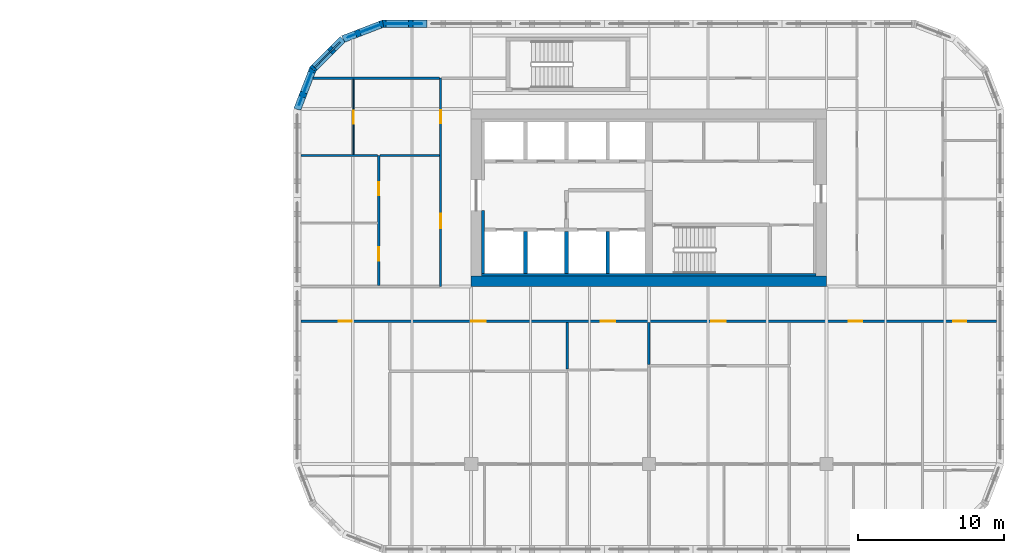
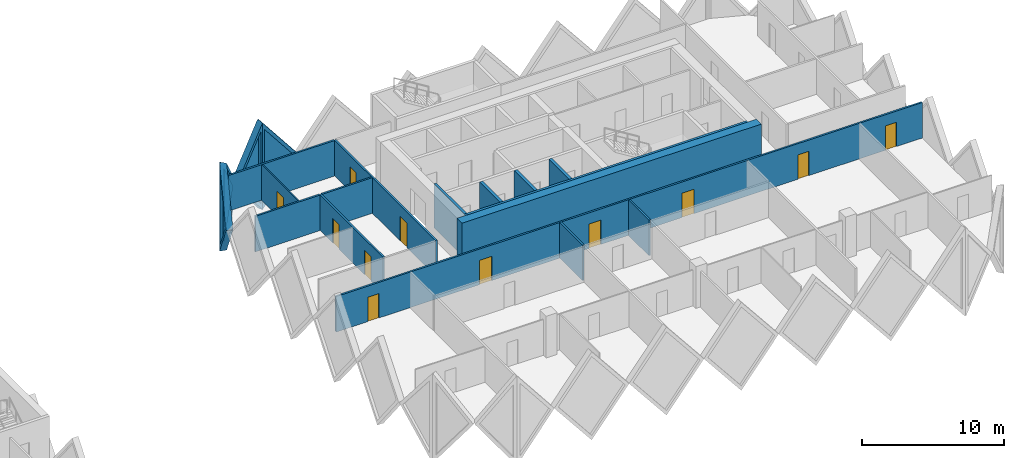
# One storey, part 13 of 19: 19 walls, 11 doors, 4 plates, 15 openings.
"""IFC4 building model written with IfcOpenShell, lengths in metres."""

import ifcopenshell
import ifcopenshell.guid

model = None  # the IFC model being written
_history = None  # IfcOwnerHistory: only IFC2X3 demands one
_inside = {}  # id of a spatial element -> (the spatial element, [elements in it])
_under = {}  # id of a project, library or spatial element -> (it, [spatial elements below it])
_declared = {}  # id of a project -> (the project, [libraries it declares])
_typed = {}  # id of a type object -> (the type object, [elements of that type])
_made_of = {}  # id of a material, layer set ... -> (it, [elements and type objects made of it])


def new_model(schema):
    """Start an empty IFC model of exactly this schema.

    Asked for "IFC4X3", IfcOpenShell would pick the latest addendum, in which some entities
    have other attributes; the version numbers below select the first issue.
    IFC2X3 requires an IfcOwnerHistory on every rooted entity: one is made here for all.
    """
    global model, _history
    if schema == "IFC4X3":
        model = ifcopenshell.file(schema_version=(4, 3, 0, 0))
    else:
        model = ifcopenshell.file(schema=schema)
    _inside.clear()
    _under.clear()
    _declared.clear()
    _typed.clear()
    _made_of.clear()
    _history = None
    if model.schema == "IFC2X3":
        org = make("IfcOrganization", Name="unknown")
        user = make(
            "IfcPersonAndOrganization",
            ThePerson=make("IfcPerson", FamilyName="unknown"),
            TheOrganization=org,
        )
        app = make(
            "IfcApplication",
            ApplicationDeveloper=org,
            Version="unknown",
            ApplicationFullName="unknown",
            ApplicationIdentifier="unknown",
        )
        _history = make(
            "IfcOwnerHistory",
            OwningUser=user,
            OwningApplication=app,
            ChangeAction="ADDED",
            CreationDate=0,
        )
    return model


def make(cls, **values):
    """One entity of the class cls with the attributes given. An attribute that is None is left unset."""
    return model.create_entity(
        cls, **{name: value for name, value in values.items() if value is not None}
    )


def rooted(cls, **values):
    """An entity with a GlobalId (a new one), such as an element, a storey or a relation."""
    return make(cls, GlobalId=ifcopenshell.guid.new(), OwnerHistory=_history, **values)


def si_unit(unit_type, name, prefix=None):
    """IfcSIUnit, for example si_unit("LENGTHUNIT", "METRE", prefix="MILLI")."""
    return make("IfcSIUnit", UnitType=unit_type, Prefix=prefix, Name=name)


def assignment(units):
    """IfcUnitAssignment: the units of a project."""
    return None if units is None else make("IfcUnitAssignment", Units=units)


def point(xyz):
    """IfcCartesianPoint."""
    return None if xyz is None else make("IfcCartesianPoint", Coordinates=xyz)


def direction(xyz):
    """IfcDirection."""
    return None if xyz is None else make("IfcDirection", DirectionRatios=xyz)


def frame(location, z_axis=None, x_axis=None):
    """IfcAxis2Placement3D, a coordinate frame: its origin and axes. An axis left out is left unset."""
    return make(
        "IfcAxis2Placement3D",
        Location=point(location),
        Axis=direction(z_axis),
        RefDirection=direction(x_axis),
    )


def frame_2d(location, x_axis=None):
    """IfcAxis2Placement2D, a coordinate frame in the plane: its origin and x axis."""
    return make(
        "IfcAxis2Placement2D", Location=point(location), RefDirection=direction(x_axis)
    )


def origin():
    """The frame at (0, 0, 0) with its axes left unset."""
    return frame((0.0, 0.0, 0.0))


def place(relative_to, where):
    """IfcLocalPlacement: puts the frame where relative to a parent placement (None: the world)."""
    return make(
        "IfcLocalPlacement", PlacementRelTo=relative_to, RelativePlacement=where
    )


def context(
    kind, dimensions, precision=None, world=None, true_north=None, identifier=None
):
    """IfcGeometricRepresentationContext, for example the 3D "Model" context."""
    return make(
        "IfcGeometricRepresentationContext",
        ContextIdentifier=identifier,
        ContextType=kind,
        CoordinateSpaceDimension=dimensions,
        Precision=precision,
        WorldCoordinateSystem=world,
        TrueNorth=true_north,
    )


def subcontext(parent, identifier, kind, view, scale=None):
    """IfcGeometricRepresentationSubContext, for example "Body" below "Model"."""
    return make(
        "IfcGeometricRepresentationSubContext",
        ContextIdentifier=identifier,
        ContextType=kind,
        ParentContext=parent,
        TargetScale=scale,
        TargetView=view,
    )


def project(units=None, contexts=None):
    """IfcProject with its units and contexts."""
    return rooted(
        "IfcProject",
        Name="project",
        RepresentationContexts=contexts,
        UnitsInContext=assignment(units),
    )


def spatial(cls, under=None, at=None, **own):
    """A site, building, storey or space (cls), placed at a placement, below another one or the project."""
    s = rooted(cls, ObjectPlacement=at, **own)
    if under is not None:
        _under.setdefault(under.id(), (under, []))[1].append(s)
    return s


def polyline(points):
    """IfcPolyline through the points."""
    return make("IfcPolyline", Points=[point(p) for p in points])


def profile(cls, at=None, kind="AREA", **sizes):
    """A parametric profile (cls). Its sizes go by their IFC names, for example OverallWidth=200.0."""
    return make(cls, ProfileType=kind, Position=at, **sizes)


def rectangle(**sizes):
    """IfcRectangleProfileDef."""
    return profile("IfcRectangleProfileDef", **sizes)


def outline(outer, holes=None, kind="AREA"):
    """IfcArbitraryClosedProfileDef: a profile drawn as a closed curve; with holes, ...WithVoids."""
    if holes is None:
        return make("IfcArbitraryClosedProfileDef", ProfileType=kind, OuterCurve=outer)
    return make(
        "IfcArbitraryProfileDefWithVoids",
        ProfileType=kind,
        OuterCurve=outer,
        InnerCurves=holes,
    )


def extrude(swept, where, along, depth):
    """IfcExtrudedAreaSolid: the profile swept, set in the frame where, extruded along a direction by depth."""
    return make(
        "IfcExtrudedAreaSolid",
        SweptArea=swept,
        Position=where,
        ExtrudedDirection=direction(along),
        Depth=depth,
    )


def faces_of(points, faces, orient=None, outer=None):
    """IfcFace entities. A face is a list of loops; a loop is a list of indices into points, from 0.

    orient and outer hold one flag for each loop. By default every Orientation is true, the
    first loop of a face is its IfcFaceOuterBound and the others are IfcFaceBound.
    """
    made = []
    for i, loops in enumerate(faces):
        bounds = []
        for j, loop in enumerate(loops):
            is_outer = j == 0 if outer is None else outer[i][j]
            bounds.append(
                make(
                    "IfcFaceOuterBound" if is_outer else "IfcFaceBound",
                    Bound=make("IfcPolyLoop", Polygon=[points[k] for k in loop]),
                    Orientation=True if orient is None else orient[i][j],
                )
            )
        made.append(make("IfcFace", Bounds=bounds))
    return made


def faceted_brep(points, faces, orient=None, outer=None, voids=None):
    """IfcFacetedBrep: a solid bounded by flat faces; with voids (closed shells), ...WithVoids."""
    shared = [point(p) for p in points]
    hull = make("IfcClosedShell", CfsFaces=faces_of(shared, faces, orient, outer))
    if voids is None:
        return make("IfcFacetedBrep", Outer=hull)
    return make(
        "IfcFacetedBrepWithVoids",
        Outer=hull,
        Voids=[
            make(cls, CfsFaces=faces_of(shared, fs, o, b)) for cls, fs, o, b in voids
        ],
    )


def shape(context_of_items, identifier, shape_type, items):
    """IfcShapeRepresentation: the items that make up one representation, for example the "Body"."""
    return make(
        "IfcShapeRepresentation",
        ContextOfItems=context_of_items,
        RepresentationIdentifier=identifier,
        RepresentationType=shape_type,
        Items=items,
    )


def source(mapping_origin, context_of_items, identifier, shape_type, items):
    """IfcRepresentationMap: a shape defined once, which mapped items show again and again."""
    return make(
        "IfcRepresentationMap",
        MappingOrigin=mapping_origin,
        MappedRepresentation=shape(context_of_items, identifier, shape_type, items),
    )


def transform(
    local_origin,
    x_axis=None,
    y_axis=None,
    z_axis=None,
    scale=None,
    scale2=None,
    scale3=None,
    uniform=True,
):
    """IfcCartesianTransformationOperator3D, or its non-uniform kind. x_axis, y_axis, z_axis: its Axis1, 2, 3."""
    if uniform:
        return make(
            "IfcCartesianTransformationOperator3D",
            Axis1=direction(x_axis),
            Axis2=direction(y_axis),
            LocalOrigin=point(local_origin),
            Scale=scale,
            Axis3=direction(z_axis),
        )
    return make(
        "IfcCartesianTransformationOperator3DnonUniform",
        Axis1=direction(x_axis),
        Axis2=direction(y_axis),
        LocalOrigin=point(local_origin),
        Scale=scale,
        Axis3=direction(z_axis),
        Scale2=scale2,
        Scale3=scale3,
    )


def mapped(mapping_source, mapping_target):
    """IfcMappedItem: shows the shape of a source again, moved by a transform."""
    return make(
        "IfcMappedItem", MappingSource=mapping_source, MappingTarget=mapping_target
    )


def material(Name=None, Category=None):
    """IfcMaterial."""
    return make("IfcMaterial", Name=Name, Category=Category)


def layer(
    of_material, thickness, ventilated=None, Name=None, Category=None, Priority=None
):
    """IfcMaterialLayer: one layer of a wall or slab, of a material (None: an air gap)."""
    return make(
        "IfcMaterialLayer",
        Material=of_material,
        LayerThickness=thickness,
        IsVentilated=ventilated,
        Name=Name,
        Category=Category,
        Priority=Priority,
    )


def layer_set(layers, Name=None):
    """IfcMaterialLayerSet."""
    return make("IfcMaterialLayerSet", MaterialLayers=layers, LayerSetName=Name)


def made_of(thing, what):
    """Note that an element or type object is made of a material, layer set ...; save() writes the relation."""
    if what is not None:
        _made_of.setdefault(what.id(), (what, []))[1].append(thing)
    return thing


def type_object(cls, material=None, **own):
    """A type object (cls), such as IfcWallType, which elements share."""
    return made_of(rooted(cls, **own), material)


def element(
    cls,
    number,
    at=None,
    inside=None,
    cuts=None,
    type_object=None,
    material=None,
    context=None,
    identifier="Body",
    shape_type=None,
    held_by="IfcProductDefinitionShape",
    body=None,
    shapes=None,
    **own,
):
    """One element of the class cls, such as IfcWall. Its Tag is "e" and its number.

    at: its placement. inside: the storey or other place that contains it. cuts: it is an
    opening in that element (IfcRelVoidsElement). A single representation is given by context,
    identifier, shape_type and body (its items); several are given by shapes. held_by: the class
    of the entity that holds the representations. save() writes the other relations.
    """
    e = rooted(cls, Tag="e%d" % number, ObjectPlacement=at, **own)
    if body is not None:
        shapes = [shape(context, identifier, shape_type, body)]
    if shapes is not None:
        e.Representation = make(held_by, Representations=shapes)
    if inside is not None:
        _inside.setdefault(inside.id(), (inside, []))[1].append(e)
    if cuts is not None:
        rooted(
            "IfcRelVoidsElement", RelatingBuildingElement=cuts, RelatedOpeningElement=e
        )
    if type_object is not None:
        _typed.setdefault(type_object.id(), (type_object, []))[1].append(e)
    return made_of(e, material)


def fill(opening, filler):
    """IfcRelFillsElement: the door or window that sits in an opening."""
    return rooted(
        "IfcRelFillsElement",
        RelatingOpeningElement=opening,
        RelatedBuildingElement=filler,
    )


def aggregate(whole, parts):
    """IfcRelAggregates: a whole, such as a stair, and the parts it consists of."""
    return rooted("IfcRelAggregates", RelatingObject=whole, RelatedObjects=parts)


def save(model, path):
    """Write the relations noted so far, then the file.

    IfcRelAggregates (storeys below a building ...), IfcRelContainedInSpatialStructure (elements
    in a storey), IfcRelDefinesByType, IfcRelAssociatesMaterial and IfcRelDeclares: one each for
    every whole, place, type object, material and project.
    """
    for whole, parts in _under.values():
        aggregate(whole, parts)
    for where, things in _inside.values():
        rooted(
            "IfcRelContainedInSpatialStructure",
            RelatedElements=things,
            RelatingStructure=where,
        )
    for kind, things in _typed.values():
        rooted("IfcRelDefinesByType", RelatedObjects=things, RelatingType=kind)
    for what, things in _made_of.values():
        rooted("IfcRelAssociatesMaterial", RelatedObjects=things, RelatingMaterial=what)
    for by, libraries in _declared.values():
        rooted("IfcRelDeclares", RelatingContext=by, RelatedDefinitions=libraries)
    model.write(path)


model = new_model("IFC4")

# Units and contexts
model_context = context("Model", 3, precision=1e-05, world=origin(), true_north=direction((0.0, 1.0)))
body_context = subcontext(model_context, "Body", "Model", "MODEL_VIEW")
ifc_project = project(units=[si_unit("LENGTHUNIT", "METRE"), si_unit("AREAUNIT", "SQUARE_METRE"), si_unit("VOLUMEUNIT", "CUBIC_METRE"), si_unit("PLANEANGLEUNIT", "RADIAN"), si_unit("MASSUNIT", "GRAM", prefix="KILO")], contexts=[model_context])

# Site, building, storey
site_placement = place(None, origin())
site = spatial("IfcSite", under=ifc_project, at=site_placement, CompositionType="ELEMENT")
building_placement = place(site_placement, origin())
building = spatial("IfcBuilding", under=site, at=building_placement, Name="Tessera Gate Towers", CompositionType="ELEMENT")
storey_placement = place(building_placement, frame((0.0, 0.0, 33.39990234375)))
storey = spatial("IfcBuildingStorey", under=building, at=storey_placement, Name="L07", CompositionType="ELEMENT", Elevation=33.39990234375)

# Walls
ifc_material_1 = material(Name="Concrete C40/50", Category="concrete")
ifc_layer_1 = layer(ifc_material_1, 0.25)
ifc_layer_set_1 = layer_set([ifc_layer_1], Name="CORE ENCLOSURE WALL 250")
wall_type_1 = type_object("IfcWallType", Name="CORE ENCLOSURE WALL 250", PredefinedType="SOLIDWALL", material=ifc_layer_set_1)
for number, where, z_axis, x_axis, name in (
    (1, (104.14990234375, 37.5, 0.0), (0.0, 0.0, 1.0), (0.0, 1.0, 0.0), "L07 shaft and stair enclosure wall"),
    (2, (101.324951171875, 37.5, 0.0), (0.0, 0.0, 1.0), (0.0, 1.0, 0.0), "L07 shaft and stair enclosure wall"),
    (3, (106.97509765625, 37.5, 0.0), (0.0, 0.0, 1.0), (0.0, 1.0, 0.0), "L07 shaft and stair enclosure wall"),
):
    element("IfcWall", number, at=place(storey_placement, frame(where, z_axis=z_axis, x_axis=x_axis)), inside=storey, type_object=wall_type_1, Name=name, PredefinedType="SOLIDWALL", context=body_context, shape_type="SweptSolid", body=[
        extrude(rectangle(XDim=2.875, YDim=0.25, at=frame_2d((1.4375, 0.0))), origin(), (0.0, 0.0, 1.0), 3.800048828125),
    ])
ifc_material_2 = material(Name="Concrete C60/75", Category="concrete")
ifc_layer_2 = layer(ifc_material_2, 0.699951171875)
ifc_layer_set_2 = layer_set([ifc_layer_2], Name="CORE SHEAR WALL 700 C60/75")
wall_type_2 = type_object("IfcWallType", Name="CORE SHEAR WALL 700 C60/75", PredefinedType="SHEAR", material=ifc_layer_set_2)
wall_1_placement = place(storey_placement, frame((122.0, 36.949951171875, 0.0), z_axis=(0.0, 0.0, 1.0), x_axis=(-1.0, 0.0, 0.0)))
element("IfcWall", 4, at=wall_1_placement, inside=storey, type_object=wall_type_2, Name="Core wall S L07", PredefinedType="SHEAR", context=body_context, shape_type="SweptSolid", body=[
    extrude(rectangle(XDim=24.39990234375, YDim=0.699951171875, at=frame_2d((12.199951171875, 0.0))), origin(), (0.0, 0.0, 1.0), 3.800048828125),
])
ifc_material_3 = material(Name="Concrete C60/75", Category="concrete")
ifc_layer_3 = layer(ifc_material_3, 0.199951171875)
ifc_layer_set_3 = layer_set([ifc_layer_3], Name="CORE WALL THICKENING 200")
wall_type_3 = type_object("IfcWallType", Name="CORE WALL THICKENING 200", PredefinedType="SOLIDWALL", material=ifc_layer_set_3)
wall_2_placement = place(storey_placement, frame((98.300048828125, 37.39990234375, 0.0), z_axis=(0.0, 0.0, 1.0), x_axis=(1.0, 0.0, 0.0)))
element("IfcWall", 5, at=wall_2_placement, inside=storey, type_object=wall_type_3, Name="Core wall thickening S L07", PredefinedType="SOLIDWALL", context=body_context, shape_type="SweptSolid", body=[
    extrude(rectangle(XDim=23.0, YDim=0.199951171875, at=frame_2d((11.5, 0.0))), origin(), (0.0, 0.0, 1.0), 3.800048828125),
])
wall_3_placement = place(storey_placement, frame((98.39990234375, 37.5, 0.0), z_axis=(0.0, 0.0, 1.0), x_axis=(0.0, 1.0, 0.0)))
element("IfcWall", 6, at=wall_3_placement, inside=storey, type_object=wall_type_3, Name="Core wall thickening W L07", PredefinedType="SOLIDWALL", context=body_context, shape_type="SweptSolid", body=[
    extrude(rectangle(XDim=4.300048828125, YDim=0.199951171875, at=frame_2d((2.14990234375, 0.0))), origin(), (0.0, 0.0, 1.0), 3.800048828125),
])

# Wall, openings, doors
ifc_material_4 = material(Name="Gypsum board on steel studs, mineral wool", Category="steel")
ifc_layer_4 = layer(ifc_material_4, 0.14990234375)
ifc_layer_set_4 = layer_set([ifc_layer_4], Name="CORRIDOR WALL 150")
wall_type_4 = type_object("IfcWallType", Name="CORRIDOR WALL 150", PredefinedType="PARTITIONING", material=ifc_layer_set_4)
wall_4_placement = place(storey_placement, frame((133.699951171875, 34.199951171875, 0.0), z_axis=(0.0, 0.0, 1.0), x_axis=(-1.0, 0.0, 0.0)))
wall_4 = element("IfcWall", 7, at=wall_4_placement, inside=storey, type_object=wall_type_4, Name="T2-L07-PW-027", PredefinedType="PARTITIONING", context=body_context, shape_type="SweptSolid", body=[
    extrude(rectangle(XDim=47.800048828125, YDim=0.14990234375, at=frame_2d((23.89990234375, 0.0))), origin(), (0.0, 0.0, 1.0), 3.067138671875),
])
shared_shape_1 = source(origin(), body_context, "Body", "SweptSolid", [
    extrude(rectangle(XDim=0.89990234375, YDim=2.10009765625, at=frame_2d((0.449951171875, 1.050048828125))), frame((0.0, 0.0849609375, 0.0), z_axis=(0.0, -1.0, 0.0), x_axis=(1.0, 0.0, 0.0)), (0.0, 0.0, 1.0), 0.169921875),
])
opening_1_placement = place(wall_4_placement, frame((2.09912109375, 0.0, 0.0)))
opening_1 = element("IfcOpeningElement", 8, at=opening_1_placement, cuts=wall_4, Name="Opening D890FD60-B03-01", PredefinedType="OPENING", context=body_context, shape_type="MappedRepresentation", body=[
    mapped(shared_shape_1, transform((0.0, 0.0, 0.0), scale=1.0)),
])
shared_shape_2 = source(origin(), body_context, "Body", "SweptSolid", [
    extrude(rectangle(XDim=1.0, YDim=2.10009765625, at=frame_2d((0.5, 1.050048828125))), frame((0.0, 0.0849609375, 0.0), z_axis=(0.0, -1.0, 0.0), x_axis=(1.0, 0.0, 0.0)), (0.0, 0.0, 1.0), 0.169921875),
])
opening_2_placement = place(wall_4_placement, frame((26.198974609375, 0.0, 0.0)))
opening_2 = element("IfcOpeningElement", 9, at=opening_2_placement, cuts=wall_4, Name="Opening D2100FD60-B03-01", PredefinedType="OPENING", context=body_context, shape_type="MappedRepresentation", body=[
    mapped(shared_shape_2, transform((0.0, 0.0, 0.0), scale=1.0)),
])
opening_3_placement = place(wall_4_placement, frame((44.300048828125, 0.0, 0.0)))
opening_3 = element("IfcOpeningElement", 10, at=opening_3_placement, cuts=wall_4, Name="Opening D890FD60-B03-03", PredefinedType="OPENING", context=body_context, shape_type="MappedRepresentation", body=[
    mapped(shared_shape_1, transform((0.0, 0.0, 0.0), scale=1.0)),
])
opening_4_placement = place(wall_4_placement, frame((9.2490234375, 0.0, 0.0)))
opening_4 = element("IfcOpeningElement", 11, at=opening_4_placement, cuts=wall_4, Name="Opening D890FD60-B03-04", PredefinedType="OPENING", context=body_context, shape_type="MappedRepresentation", body=[
    mapped(shared_shape_1, transform((0.0, 0.0, 0.0), scale=1.0)),
])
opening_5_placement = place(wall_4_placement, frame((18.60009765625, 0.0, 0.0)))
opening_5 = element("IfcOpeningElement", 12, at=opening_5_placement, cuts=wall_4, Name="Opening D2100FD60-B03-03", PredefinedType="OPENING", context=body_context, shape_type="MappedRepresentation", body=[
    mapped(shared_shape_2, transform((0.0, 0.0, 0.0), scale=1.0)),
])
opening_6_placement = place(wall_4_placement, frame((35.10009765625, 0.0, 0.0)))
opening_6 = element("IfcOpeningElement", 13, at=opening_6_placement, cuts=wall_4, Name="Opening D2100FD60-B03-05", PredefinedType="OPENING", context=body_context, shape_type="MappedRepresentation", body=[
    mapped(shared_shape_2, transform((0.0, 0.0, 0.0), scale=1.0)),
])
ifc_material_5 = material(Name="Timber door leaf in steel frame", Category="steel")
door_type_1 = type_object("IfcDoorType", Name="CORRIDOR DOOR 900 FD60", OperationType="NOTDEFINED", PredefinedType="DOOR", material=ifc_material_5)
shared_shape_3 = source(origin(), body_context, "Body", "SweptSolid", [
    extrude(rectangle(XDim=0.89990234375, YDim=2.10009765625, at=frame_2d((0.449951171875, 1.050048828125))), frame((0.0, 0.02490234375, 0.0), z_axis=(0.0, -1.0, 0.0), x_axis=(1.0, 0.0, 0.0)), (0.0, 0.0, 1.0), 0.050048828125),
])
door_1_placement = place(opening_1_placement, origin())
door_1 = element("IfcDoor", 14, at=door_1_placement, inside=storey, type_object=door_type_1, Name="T2-L07-PD-010", OperationType="SINGLE_SWING_RIGHT", OverallHeight=2.10009765625, OverallWidth=0.89990234375, PredefinedType="DOOR", context=body_context, shape_type="MappedRepresentation", body=[
    mapped(shared_shape_3, transform((0.0, 0.0, 0.0), scale=1.0)),
])
fill(opening_1, door_1)
door_2_placement = place(opening_3_placement, origin())
door_2 = element("IfcDoor", 15, at=door_2_placement, inside=storey, type_object=door_type_1, Name="T2-L07-PD-019", OperationType="SINGLE_SWING_RIGHT", OverallHeight=2.10009765625, OverallWidth=0.89990234375, PredefinedType="DOOR", context=body_context, shape_type="MappedRepresentation", body=[
    mapped(shared_shape_3, transform((0.0, 0.0, 0.0), scale=1.0)),
])
fill(opening_3, door_2)
door_3_placement = place(opening_4_placement, origin())
door_3 = element("IfcDoor", 16, at=door_3_placement, inside=storey, type_object=door_type_1, Name="T2-L07-PD-022", OperationType="SINGLE_SWING_RIGHT", OverallHeight=2.10009765625, OverallWidth=0.89990234375, PredefinedType="DOOR", context=body_context, shape_type="MappedRepresentation", body=[
    mapped(shared_shape_3, transform((0.0, 0.0, 0.0), scale=1.0)),
])
fill(opening_4, door_3)
ifc_material_6 = material(Name="Timber door leaf in steel frame", Category="steel")
door_type_2 = type_object("IfcDoorType", Name="TENANCY ENTRANCE DOOR 1000 FD60", OperationType="NOTDEFINED", PredefinedType="DOOR", material=ifc_material_6)
shared_shape_4 = source(origin(), body_context, "Body", "SweptSolid", [
    extrude(rectangle(XDim=1.0, YDim=2.10009765625, at=frame_2d((0.5, 1.050048828125))), frame((0.0, 0.02490234375, 0.0), z_axis=(0.0, -1.0, 0.0), x_axis=(1.0, 0.0, 0.0)), (0.0, 0.0, 1.0), 0.050048828125),
])
door_4_placement = place(opening_2_placement, origin())
door_4 = element("IfcDoor", 17, at=door_4_placement, inside=storey, type_object=door_type_2, Name="T2-L07-PD-016", OperationType="SINGLE_SWING_RIGHT", OverallHeight=2.10009765625, OverallWidth=1.0, PredefinedType="DOOR", context=body_context, shape_type="MappedRepresentation", body=[
    mapped(shared_shape_4, transform((0.0, 0.0, 0.0), scale=1.0)),
])
fill(opening_2, door_4)
door_5_placement = place(opening_5_placement, origin())
door_5 = element("IfcDoor", 18, at=door_5_placement, inside=storey, type_object=door_type_2, Name="T2-L07-PD-023", OperationType="SINGLE_SWING_RIGHT", OverallHeight=2.10009765625, OverallWidth=1.0, PredefinedType="DOOR", context=body_context, shape_type="MappedRepresentation", body=[
    mapped(shared_shape_4, transform((0.0, 0.0, 0.0), scale=1.0)),
])
fill(opening_5, door_5)
door_6_placement = place(opening_6_placement, origin())
door_6 = element("IfcDoor", 19, at=door_6_placement, inside=storey, type_object=door_type_2, Name="T2-L07-PD-026", OperationType="SINGLE_SWING_RIGHT", OverallHeight=2.10009765625, OverallWidth=1.0, PredefinedType="DOOR", context=body_context, shape_type="MappedRepresentation", body=[
    mapped(shared_shape_4, transform((0.0, 0.0, 0.0), scale=1.0)),
])
fill(opening_6, door_6)

wall_5_placement = place(storey_placement, frame((95.5, 36.60009765625, 0.0), z_axis=(0.0, 0.0, 1.0), x_axis=(0.0, 1.0, 0.0)))
wall_5 = element("IfcWall", 20, at=wall_5_placement, inside=storey, type_object=wall_type_4, Name="T2-L07-PW-029", PredefinedType="PARTITIONING", context=body_context, shape_type="SweptSolid", body=[
    extrude(rectangle(XDim=14.2998046875, YDim=0.14990234375, at=frame_2d((7.14990234375, 0.0))), origin(), (0.0, 0.0, 1.0), 3.067138671875),
])
opening_7_placement = place(wall_5_placement, frame((11.200927734375, 0.0, 0.0)))
opening_7 = element("IfcOpeningElement", 21, at=opening_7_placement, cuts=wall_5, Name="Opening D890FD60-B03-02", PredefinedType="OPENING", context=body_context, shape_type="MappedRepresentation", body=[
    mapped(shared_shape_1, transform((0.0, 0.0, 0.0), scale=1.0)),
])
opening_8_placement = place(wall_5_placement, frame((4.0, 0.0, 0.0)))
opening_8 = element("IfcOpeningElement", 22, at=opening_8_placement, cuts=wall_5, Name="Opening D2100FD60-B03-06", PredefinedType="OPENING", context=body_context, shape_type="MappedRepresentation", body=[
    mapped(shared_shape_2, transform((0.0, 0.0, 0.0), scale=1.0)),
])
door_7_placement = place(opening_7_placement, origin())
door_7 = element("IfcDoor", 23, at=door_7_placement, inside=storey, type_object=door_type_1, Name="T2-L07-PD-012", OperationType="SINGLE_SWING_LEFT", OverallHeight=2.10009765625, OverallWidth=0.89990234375, PredefinedType="DOOR", context=body_context, shape_type="MappedRepresentation", body=[
    mapped(shared_shape_3, transform((0.0, 0.0, 0.0), scale=1.0)),
])
fill(opening_7, door_7)
door_8_placement = place(opening_8_placement, origin())
door_8 = element("IfcDoor", 24, at=door_8_placement, inside=storey, type_object=door_type_2, Name="T2-L07-PD-028", OperationType="SINGLE_SWING_LEFT", OverallHeight=2.10009765625, OverallWidth=1.0, PredefinedType="DOOR", context=body_context, shape_type="MappedRepresentation", body=[
    mapped(shared_shape_4, transform((0.0, 0.0, 0.0), scale=1.0)),
])
fill(opening_8, door_8)

# Wall, opening, door
ifc_material_7 = material(Name="Gypsum board on steel studs", Category="steel")
ifc_layer_5 = layer(ifc_material_7, 0.10009765625)
ifc_layer_set_5 = layer_set([ifc_layer_5], Name="PARTITION 100")
wall_type_5 = type_object("IfcWallType", Name="PARTITION 100", PredefinedType="PARTITIONING", material=ifc_layer_set_5)
wall_6_placement = place(storey_placement, frame((89.514892578125, 45.676025390625, 0.0), z_axis=(0.0, 0.0, 1.0), x_axis=(0.0, 1.0, 0.0)))
wall_6 = element("IfcWall", 25, at=wall_6_placement, inside=storey, type_object=wall_type_5, Name="T2-L07-PW-039", PredefinedType="PARTITIONING", context=body_context, shape_type="SweptSolid", body=[
    extrude(rectangle(XDim=5.14794921875, YDim=0.10009765625, at=frame_2d((2.573974609375, 0.0))), origin(), (0.0, 0.0, 1.0), 3.067138671875),
])
shared_shape_5 = source(origin(), body_context, "Body", "SweptSolid", [
    extrude(rectangle(XDim=0.89990234375, YDim=2.10009765625, at=frame_2d((0.449951171875, 1.050048828125))), frame((0.0, 0.06005859375, 0.0), z_axis=(0.0, -1.0, 0.0), x_axis=(1.0, 0.0, 0.0)), (0.0, 0.0, 1.0), 0.1201171875),
])
opening_9_placement = place(wall_6_placement, frame((2.10009765625, 0.0, 0.0)))
opening_9 = element("IfcOpeningElement", 26, at=opening_9_placement, cuts=wall_6, Name="Opening D190-B03-09", PredefinedType="OPENING", context=body_context, shape_type="MappedRepresentation", body=[
    mapped(shared_shape_5, transform((0.0, 0.0, 0.0), scale=1.0)),
])
ifc_material_8 = material(Name="Timber door leaf in steel frame", Category="steel")
door_type_3 = type_object("IfcDoorType", Name="INTERNAL DOOR 900 NOT RATED", OperationType="NOTDEFINED", PredefinedType="DOOR", material=ifc_material_8)
door_9_placement = place(opening_9_placement, origin())
door_9 = element("IfcDoor", 27, at=door_9_placement, inside=storey, type_object=door_type_3, Name="T2-L07-PD-011", OperationType="SINGLE_SWING_LEFT", OverallHeight=2.10009765625, OverallWidth=0.89990234375, PredefinedType="DOOR", context=body_context, shape_type="MappedRepresentation", body=[
    mapped(shared_shape_3, transform((0.0, 0.0, 0.0), scale=1.0)),
])
fill(opening_9, door_9)

# Walls
ifc_material_9 = material(Name="Gypsum board on steel studs, mineral wool", Category="steel")
ifc_layer_6 = layer(ifc_material_9, 0.14990234375)
ifc_layer_set_6 = layer_set([ifc_layer_6], Name="TENANCY WALL 150")
wall_type_6 = type_object("IfcWallType", Name="TENANCY WALL 150", PredefinedType="PARTITIONING", material=ifc_layer_set_6)
wall_7_placement = place(storey_placement, frame((104.199951171875, 30.925048828125, 0.0), z_axis=(0.0, 0.0, 1.0), x_axis=(0.0, 1.0, 0.0)))
element("IfcWall", 28, at=wall_7_placement, inside=storey, type_object=wall_type_6, Name="T2-L07-PW-023", PredefinedType="PARTITIONING", context=body_context, shape_type="SweptSolid", body=[
    extrude(rectangle(XDim=3.198974609375, YDim=0.14990234375, at=frame_2d((1.599609375, 0.0))), origin(), (0.0, 0.0, 1.0), 3.067138671875),
])
wall_8_placement = place(storey_placement, frame((109.800048828125, 31.22607421875, 0.0), z_axis=(0.0, 0.0, 1.0), x_axis=(0.0, 1.0, 0.0)))
element("IfcWall", 29, at=wall_8_placement, inside=storey, type_object=wall_type_6, Name="T2-L07-PW-025", PredefinedType="PARTITIONING", context=body_context, shape_type="SweptSolid", body=[
    extrude(rectangle(XDim=2.89794921875, YDim=0.14990234375, at=frame_2d((1.448974609375, 0.0))), origin(), (0.0, 0.0, 1.0), 3.067138671875),
])

# Wall, openings, doors
wall_9_placement = place(storey_placement, frame((91.25, 36.676025390625, 0.0), z_axis=(0.0, 0.0, 1.0), x_axis=(0.0, 1.0, 0.0)))
wall_9 = element("IfcWall", 30, at=wall_9_placement, inside=storey, type_object=wall_type_6, Name="T2-L07-PW-032", PredefinedType="PARTITIONING", context=body_context, shape_type="SweptSolid", body=[
    extrude(rectangle(XDim=8.924072265625, YDim=0.14990234375, at=frame_2d((4.4619140625, 0.0))), origin(), (0.0, 0.0, 1.0), 3.067138671875),
])
opening_10_placement = place(wall_9_placement, frame((1.699951171875, 0.0, 0.0)))
opening_10 = element("IfcOpeningElement", 31, at=opening_10_placement, cuts=wall_9, Name="Opening D190-B03-03", PredefinedType="OPENING", context=body_context, shape_type="MappedRepresentation", body=[
    mapped(shared_shape_1, transform((0.0, 0.0, 0.0), scale=1.0)),
])
opening_11_placement = place(wall_9_placement, frame((6.171875, 0.0, 0.0)))
opening_11 = element("IfcOpeningElement", 32, at=opening_11_placement, cuts=wall_9, Name="Opening D190-B03-06", PredefinedType="OPENING", context=body_context, shape_type="MappedRepresentation", body=[
    mapped(shared_shape_1, transform((0.0, 0.0, 0.0), scale=1.0)),
])
door_10_placement = place(opening_10_placement, origin())
door_10 = element("IfcDoor", 33, at=door_10_placement, inside=storey, type_object=door_type_3, Name="T2-L07-PD-003", OperationType="SINGLE_SWING_LEFT", OverallHeight=2.10009765625, OverallWidth=0.89990234375, PredefinedType="DOOR", context=body_context, shape_type="MappedRepresentation", body=[
    mapped(shared_shape_3, transform((0.0, 0.0, 0.0), scale=1.0)),
])
fill(opening_10, door_10)
door_11_placement = place(opening_11_placement, origin())
door_11 = element("IfcDoor", 34, at=door_11_placement, inside=storey, type_object=door_type_3, Name="T2-L07-PD-006", OperationType="SINGLE_SWING_LEFT", OverallHeight=2.10009765625, OverallWidth=0.89990234375, PredefinedType="DOOR", context=body_context, shape_type="MappedRepresentation", body=[
    mapped(shared_shape_3, transform((0.0, 0.0, 0.0), scale=1.0)),
])
fill(opening_11, door_11)

# Walls
wall_10_placement = place(storey_placement, frame((85.89990234375, 45.60009765625, 0.0), z_axis=(0.0, 0.0, 1.0), x_axis=(1.0, 0.0, 0.0)))
element("IfcWall", 35, at=wall_10_placement, inside=storey, type_object=wall_type_6, Name="T2-L07-PW-037", PredefinedType="PARTITIONING", context=body_context, shape_type="SweptSolid", body=[
    extrude(rectangle(XDim=5.274169921875, YDim=0.14990234375, at=frame_2d((2.63720703125, 0.0))), origin(), (0.0, 0.0, 1.0), 3.067138671875),
])
wall_11_placement = place(storey_placement, frame((91.325927734375, 45.60009765625, 0.0), z_axis=(0.0, 0.0, 1.0), x_axis=(1.0, 0.0, 0.0)))
element("IfcWall", 36, at=wall_11_placement, inside=storey, type_object=wall_type_6, Name="T2-L07-PW-038", PredefinedType="PARTITIONING", context=body_context, shape_type="SweptSolid", body=[
    extrude(rectangle(XDim=4.09814453125, YDim=0.14990234375, at=frame_2d((2.049072265625, 0.0))), origin(), (0.0, 0.0, 1.0), 3.067138671875),
])
wall_12_placement = place(storey_placement, frame((86.74609375, 50.89990234375, 0.0), z_axis=(0.0, 0.0, 1.0), x_axis=(1.0, 0.0, 0.0)))
element("IfcWall", 37, at=wall_12_placement, inside=storey, type_object=wall_type_6, Name="T2-L07-PW-041", PredefinedType="PARTITIONING", context=body_context, shape_type="SweptSolid", body=[
    extrude(rectangle(XDim=8.677978515625, YDim=0.14990234375, at=frame_2d((4.3388671875, 0.0))), origin(), (0.0, 0.0, 1.0), 3.067138671875),
])

# Wall, opening, plate
ifc_material_10 = material(Name="Precast concrete C60/75 white", Category="concrete")
ifc_layer_7 = layer(ifc_material_10, 0.5)
ifc_layer_set_7 = layer_set([ifc_layer_7], Name="TS3 corner tessera")
wall_type_7 = type_object("IfcWallType", Name="TS3 corner tessera", PredefinedType="SOLIDWALL", material=ifc_layer_set_7)
shared_shape_6 = source(origin(), body_context, "Body", "Brep", [
    faceted_brep([(3.00341796875, -0.25, 0.0), (3.050048828125, -0.25, 0.06005859375), (3.050048828125, -0.25, 7.539794921875), (3.00341796875, -0.25, 7.599853515625), (0.0, -0.25, 3.7998046875), (0.0, 0.25, 3.7998046875), (2.956787109375, 0.25, 7.541015625), (2.956787109375, 0.25, 0.058837890625), (3.00341796875, 0.000244140625, 0.0), (3.00341796875, 0.000244140625, 7.599853515625)], [[[0, 1, 2, 3, 4]], [[5, 6, 7]], [[1, 0, 8]], [[9, 3, 2]], [[6, 5, 4, 3, 9]], [[5, 7, 8, 0, 4]], [[1, 8, 7, 6, 9, 2]]]),
])
wall_13_placement = place(storey_placement, frame((94.550048828125, 54.64990234375, -3.7998046875), z_axis=(0.0, 0.0, 1.0), x_axis=(-1.0, 0.0, 0.0)))
wall_13 = element("IfcWall", 38, at=wall_13_placement, inside=storey, type_object=wall_type_7, Name="Precast corner tessera T2 TS3-0091", PredefinedType="SOLIDWALL", context=body_context, shape_type="MappedRepresentation", body=[
    mapped(shared_shape_6, transform((0.0, 0.0, 0.0), scale=1.0)),
])
shared_shape_7 = source(origin(), body_context, "Body", "SweptSolid", [
    extrude(outline(polyline([(2.803466796875, 6.943603515625), (0.318603515625, 3.7998046875), (2.803466796875, 0.656005859375), (2.803466796875, 6.943603515625)])), frame((0.0, 0.260009765625, 0.0), z_axis=(0.0, -1.0, 0.0), x_axis=(1.0, 0.0, 0.0)), (0.0, 0.0, 1.0), 0.52001953125),
])
opening_12_placement = place(wall_13_placement, origin())
opening_12 = element("IfcOpeningElement", 39, at=opening_12_placement, cuts=wall_13, Name="Opening T2-PL2-0092", PredefinedType="OPENING", context=body_context, shape_type="MappedRepresentation", body=[
    mapped(shared_shape_7, transform((0.0, 0.0, 0.0), scale=1.0)),
])
ifc_material_11 = material(Name="Low-e laminated glass", Category="glass")
ifc_layer_8 = layer(ifc_material_11, 0.06005859375)
ifc_layer_set_8 = layer_set([ifc_layer_8], Name="PL2 rhombic pane")
plate_type = type_object("IfcPlateType", Name="PL2 rhombic pane", PredefinedType="SHEET", material=ifc_layer_set_8)
shared_shape_8 = source(origin(), body_context, "Body", "SweptSolid", [
    extrude(outline(polyline([(2.803466796875, 6.943603515625), (0.318603515625, 3.7998046875), (2.803466796875, 0.656005859375), (2.803466796875, 6.943603515625)])), frame((0.0, 0.030029296875, 0.0), z_axis=(0.0, -1.0, 0.0), x_axis=(1.0, 0.0, 0.0)), (0.0, 0.0, 1.0), 0.06005859375),
])
plate_1_placement = place(opening_12_placement, origin())
plate_1 = element("IfcPlate", 40, at=plate_1_placement, inside=storey, type_object=plate_type, Name="Glass pane T2 PL2-0092", PredefinedType="SHEET", context=body_context, shape_type="MappedRepresentation", body=[
    mapped(shared_shape_8, transform((0.0, 0.0, 0.0), scale=1.0)),
])
fill(opening_12, plate_1)

shared_shape_9 = source(origin(), body_context, "Body", "Brep", [
    faceted_brep([(2.944091796875, -0.25, 0.0), (2.9970703125, -0.25, 0.068115234375), (2.9970703125, -0.25, 7.53173828125), (2.944091796875, -0.25, 7.599853515625), (0.0, -0.25, 3.7998046875), (0.052978515625, 0.25, 3.8681640625), (2.89111328125, 0.25, 7.53173828125), (2.89111328125, 0.25, 0.068115234375), (0.052978515625, 0.25, 3.7314453125), (2.944091796875, 0.000244140625, 0.0), (2.944091796875, 0.000244140625, 7.599853515625), (0.0, 0.0, 3.7998046875)], [[[0, 1, 2, 3, 4]], [[5, 6, 7, 8]], [[1, 0, 9]], [[10, 3, 2]], [[6, 5, 11, 4, 3, 10]], [[8, 7, 9, 0, 4, 11]], [[8, 11, 5]], [[1, 9, 7, 6, 10, 2]]]),
])
wall_14_placement = place(storey_placement, frame((88.793701171875, 53.588134765625, -3.7998046875), z_axis=(0.0, 0.0, 1.0), x_axis=(-0.707066050402, -0.707147509625, 0.0)))
wall_14 = element("IfcWall", 41, at=wall_14_placement, inside=storey, type_object=wall_type_7, Name="Precast corner tessera T2 TS3-0093", PredefinedType="SOLIDWALL", context=body_context, shape_type="MappedRepresentation", body=[
    mapped(shared_shape_9, transform((0.0, 0.0, 0.0), scale=1.0)),
])
shared_shape_10 = source(origin(), body_context, "Body", "SweptSolid", [
    extrude(outline(polyline([(2.744140625, 6.93359375), (0.316162109375, 3.7998046875), (2.744140625, 0.666259765625), (2.744140625, 6.93359375)])), frame((0.0, 0.260009765625, 0.0), z_axis=(0.0, -1.0, 0.0), x_axis=(1.0, 0.0, 0.0)), (0.0, 0.0, 1.0), 0.52001953125),
])
opening_13_placement = place(wall_14_placement, origin())
opening_13 = element("IfcOpeningElement", 42, at=opening_13_placement, cuts=wall_14, Name="Opening T2-PL2-0094", PredefinedType="OPENING", context=body_context, shape_type="MappedRepresentation", body=[
    mapped(shared_shape_10, transform((0.0, 0.0, 0.0), scale=1.0)),
])
shared_shape_11 = source(origin(), body_context, "Body", "SweptSolid", [
    extrude(outline(polyline([(2.744140625, 6.93359375), (0.316162109375, 3.7998046875), (2.744140625, 0.666259765625), (2.744140625, 6.93359375)])), frame((0.0, 0.030029296875, 0.0), z_axis=(0.0, -1.0, 0.0), x_axis=(1.0, 0.0, 0.0)), (0.0, 0.0, 1.0), 0.06005859375),
])
plate_2_placement = place(opening_13_placement, origin())
plate_2 = element("IfcPlate", 43, at=plate_2_placement, inside=storey, type_object=plate_type, Name="Glass pane T2 PL2-0094", PredefinedType="SHEET", context=body_context, shape_type="MappedRepresentation", body=[
    mapped(shared_shape_11, transform((0.0, 0.0, 0.0), scale=1.0)),
])
fill(opening_13, plate_2)

shared_shape_12 = source(origin(), body_context, "Body", "Brep", [
    faceted_brep([(0.052978515625, -0.25, 0.0), (3.00341796875, -0.25, 3.7998046875), (0.052978515625, -0.25, 7.599853515625), (0.0, -0.25, 7.531494140625), (0.0, -0.25, 0.068359375), (0.10595703125, 0.25, 7.53173828125), (2.95703125, 0.25, 3.859619140625), (2.95703125, 0.25, 3.739990234375), (0.10595703125, 0.25, 0.068115234375), (3.00341796875, 0.00048828125, 3.7998046875), (0.052978515625, 0.0, 0.0), (0.052978515625, 0.0, 7.599853515625)], [[[0, 1, 2, 3, 4]], [[5, 6, 7, 8]], [[8, 7, 9, 1, 0, 10]], [[6, 5, 11, 2, 1, 9]], [[3, 2, 11]], [[10, 0, 4]], [[8, 10, 4, 3, 11, 5]], [[9, 7, 6]]]),
])
wall_15_placement = place(storey_placement, frame((86.73095703125, 51.5556640625, -3.7998046875), z_axis=(0.0, 0.0, 1.0), x_axis=(-0.359855894603, -0.933007896601, 0.0)))
wall_15 = element("IfcWall", 44, at=wall_15_placement, inside=storey, type_object=wall_type_7, Name="Precast corner tessera T2 TS3-0094", PredefinedType="SOLIDWALL", context=body_context, shape_type="MappedRepresentation", body=[
    mapped(shared_shape_12, transform((0.0, 0.0, 0.0), scale=1.0)),
])
shared_shape_13 = source(origin(), body_context, "Body", "SweptSolid", [
    extrude(outline(polyline([(0.2529296875, 0.6650390625), (2.68701171875, 3.7998046875), (0.2529296875, 6.9345703125), (0.2529296875, 0.6650390625)])), frame((0.0, 0.260009765625, 0.0), z_axis=(0.0, -1.0, 0.0), x_axis=(1.0, 0.0, 0.0)), (0.0, 0.0, 1.0), 0.52001953125),
])
opening_14_placement = place(wall_15_placement, origin())
opening_14 = element("IfcOpeningElement", 45, at=opening_14_placement, cuts=wall_15, Name="Opening T2-PL2-0095", PredefinedType="OPENING", context=body_context, shape_type="MappedRepresentation", body=[
    mapped(shared_shape_13, transform((0.0, 0.0, 0.0), scale=1.0)),
])
shared_shape_14 = source(origin(), body_context, "Body", "SweptSolid", [
    extrude(outline(polyline([(0.2529296875, 0.6650390625), (2.68701171875, 3.7998046875), (0.2529296875, 6.9345703125), (0.2529296875, 0.6650390625)])), frame((0.0, 0.030029296875, 0.0), z_axis=(0.0, -1.0, 0.0), x_axis=(1.0, 0.0, 0.0)), (0.0, 0.0, 1.0), 0.06005859375),
])
plate_3_placement = place(opening_14_placement, origin())
plate_3 = element("IfcPlate", 46, at=plate_3_placement, inside=storey, type_object=plate_type, Name="Glass pane T2 PL2-0095", PredefinedType="SHEET", context=body_context, shape_type="MappedRepresentation", body=[
    mapped(shared_shape_14, transform((0.0, 0.0, 0.0), scale=1.0)),
])
fill(opening_14, plate_3)

shared_shape_15 = source(origin(), body_context, "Body", "Brep", [
    faceted_brep([(0.046630859375, -0.25, 0.0), (2.9970703125, -0.25, 3.7998046875), (0.046630859375, -0.25, 7.599853515625), (0.0, -0.25, 7.541015625), (0.0, -0.25, 0.058837890625), (0.09326171875, 0.25, 7.539794921875), (2.9443359375, 0.25, 3.867919921875), (2.9443359375, 0.25, 3.731689453125), (0.09326171875, 0.25, 0.06005859375), (2.9970703125, 0.00048828125, 3.7998046875), (0.046630859375, 0.0, 0.0), (0.046630859375, 0.0, 7.599853515625)], [[[0, 1, 2, 3, 4]], [[5, 6, 7, 8]], [[8, 7, 9, 1, 0, 10]], [[6, 5, 11, 2, 1, 9]], [[3, 2, 11]], [[10, 0, 4]], [[8, 10, 4, 3, 11, 5]], [[9, 7, 6]]]),
])
wall_16_placement = place(storey_placement, frame((91.590087890625, 54.666748046875, -3.7998046875), z_axis=(0.0, 0.0, 1.0), x_axis=(-0.933000876937, -0.359874094142, 0.0)))
wall_16 = element("IfcWall", 47, at=wall_16_placement, inside=storey, type_object=wall_type_7, Name="Precast corner tessera T2 TS3-0092", PredefinedType="SOLIDWALL", context=body_context, shape_type="MappedRepresentation", body=[
    mapped(shared_shape_15, transform((0.0, 0.0, 0.0), scale=1.0)),
])
shared_shape_16 = source(origin(), body_context, "Body", "SweptSolid", [
    extrude(outline(polyline([(0.24658203125, 0.6650390625), (2.6806640625, 3.7998046875), (0.24658203125, 6.9345703125), (0.24658203125, 0.6650390625)])), frame((0.0, 0.260009765625, 0.0), z_axis=(0.0, -1.0, 0.0), x_axis=(1.0, 0.0, 0.0)), (0.0, 0.0, 1.0), 0.52001953125),
])
opening_15_placement = place(wall_16_placement, origin())
opening_15 = element("IfcOpeningElement", 48, at=opening_15_placement, cuts=wall_16, Name="Opening T2-PL2-0093", PredefinedType="OPENING", context=body_context, shape_type="MappedRepresentation", body=[
    mapped(shared_shape_16, transform((0.0, 0.0, 0.0), scale=1.0)),
])
shared_shape_17 = source(origin(), body_context, "Body", "SweptSolid", [
    extrude(outline(polyline([(0.24658203125, 0.6650390625), (2.6806640625, 3.7998046875), (0.24658203125, 6.9345703125), (0.24658203125, 0.6650390625)])), frame((0.0, 0.030029296875, 0.0), z_axis=(0.0, -1.0, 0.0), x_axis=(1.0, 0.0, 0.0)), (0.0, 0.0, 1.0), 0.06005859375),
])
plate_4_placement = place(opening_15_placement, origin())
plate_4 = element("IfcPlate", 49, at=plate_4_placement, inside=storey, type_object=plate_type, Name="Glass pane T2 PL2-0093", PredefinedType="SHEET", context=body_context, shape_type="MappedRepresentation", body=[
    mapped(shared_shape_17, transform((0.0, 0.0, 0.0), scale=1.0)),
])
fill(opening_15, plate_4)

save(model, "model.ifc")
